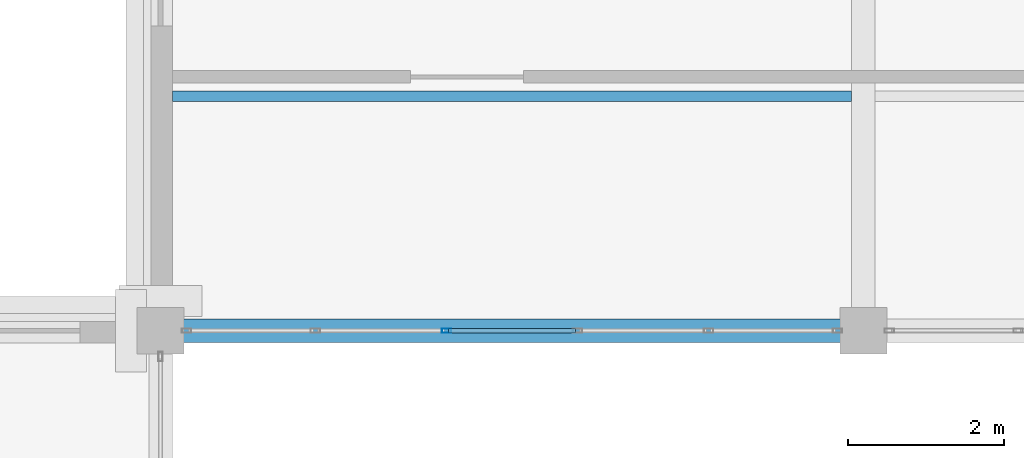
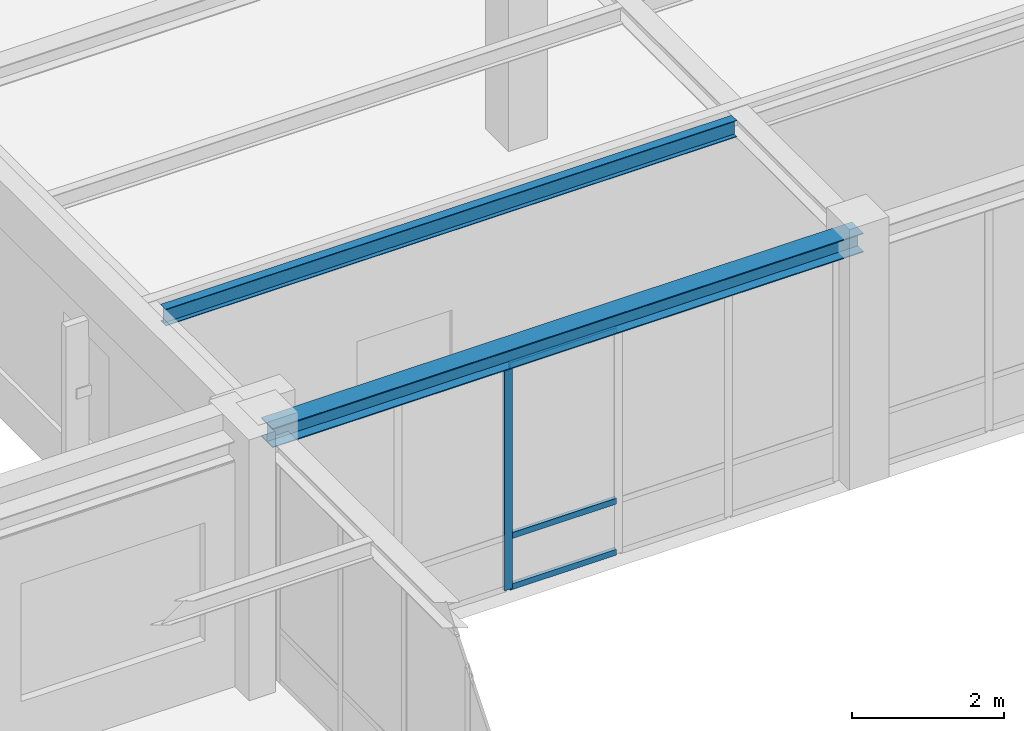
# One storey, part 90 of 130: 4 members, 2 beams, 1 element without a shape of its own.
"""IFC4 building model written with IfcOpenShell, lengths in metres."""

import ifcopenshell
import ifcopenshell.guid

model = None  # the IFC model being written
_history = None  # IfcOwnerHistory: only IFC2X3 demands one
_inside = {}  # id of a spatial element -> (the spatial element, [elements in it])
_under = {}  # id of a project, library or spatial element -> (it, [spatial elements below it])
_declared = {}  # id of a project -> (the project, [libraries it declares])
_typed = {}  # id of a type object -> (the type object, [elements of that type])
_made_of = {}  # id of a material, layer set ... -> (it, [elements and type objects made of it])


def new_model(schema):
    """Start an empty IFC model of exactly this schema.

    Asked for "IFC4X3", IfcOpenShell would pick the latest addendum, in which some entities
    have other attributes; the version numbers below select the first issue.
    IFC2X3 requires an IfcOwnerHistory on every rooted entity: one is made here for all.
    """
    global model, _history
    if schema == "IFC4X3":
        model = ifcopenshell.file(schema_version=(4, 3, 0, 0))
    else:
        model = ifcopenshell.file(schema=schema)
    _inside.clear()
    _under.clear()
    _declared.clear()
    _typed.clear()
    _made_of.clear()
    _history = None
    if model.schema == "IFC2X3":
        org = make("IfcOrganization", Name="unknown")
        user = make(
            "IfcPersonAndOrganization",
            ThePerson=make("IfcPerson", FamilyName="unknown"),
            TheOrganization=org,
        )
        app = make(
            "IfcApplication",
            ApplicationDeveloper=org,
            Version="unknown",
            ApplicationFullName="unknown",
            ApplicationIdentifier="unknown",
        )
        _history = make(
            "IfcOwnerHistory",
            OwningUser=user,
            OwningApplication=app,
            ChangeAction="ADDED",
            CreationDate=0,
        )
    return model


def make(cls, **values):
    """One entity of the class cls with the attributes given. An attribute that is None is left unset."""
    return model.create_entity(
        cls, **{name: value for name, value in values.items() if value is not None}
    )


def rooted(cls, **values):
    """An entity with a GlobalId (a new one), such as an element, a storey or a relation."""
    return make(cls, GlobalId=ifcopenshell.guid.new(), OwnerHistory=_history, **values)


def si_unit(unit_type, name, prefix=None):
    """IfcSIUnit, for example si_unit("LENGTHUNIT", "METRE", prefix="MILLI")."""
    return make("IfcSIUnit", UnitType=unit_type, Prefix=prefix, Name=name)


def assignment(units):
    """IfcUnitAssignment: the units of a project."""
    return None if units is None else make("IfcUnitAssignment", Units=units)


def point(xyz):
    """IfcCartesianPoint."""
    return None if xyz is None else make("IfcCartesianPoint", Coordinates=xyz)


def direction(xyz):
    """IfcDirection."""
    return None if xyz is None else make("IfcDirection", DirectionRatios=xyz)


def frame(location, z_axis=None, x_axis=None):
    """IfcAxis2Placement3D, a coordinate frame: its origin and axes. An axis left out is left unset."""
    return make(
        "IfcAxis2Placement3D",
        Location=point(location),
        Axis=direction(z_axis),
        RefDirection=direction(x_axis),
    )


def frame_2d(location, x_axis=None):
    """IfcAxis2Placement2D, a coordinate frame in the plane: its origin and x axis."""
    return make(
        "IfcAxis2Placement2D", Location=point(location), RefDirection=direction(x_axis)
    )


def origin():
    """The frame at (0, 0, 0) with its axes left unset."""
    return frame((0.0, 0.0, 0.0))


def origin_2d():
    """The frame at (0, 0) in the plane with its x axis left unset."""
    return frame_2d((0.0, 0.0))


def place(relative_to, where):
    """IfcLocalPlacement: puts the frame where relative to a parent placement (None: the world)."""
    return make(
        "IfcLocalPlacement", PlacementRelTo=relative_to, RelativePlacement=where
    )


def context(
    kind, dimensions, precision=None, world=None, true_north=None, identifier=None
):
    """IfcGeometricRepresentationContext, for example the 3D "Model" context."""
    return make(
        "IfcGeometricRepresentationContext",
        ContextIdentifier=identifier,
        ContextType=kind,
        CoordinateSpaceDimension=dimensions,
        Precision=precision,
        WorldCoordinateSystem=world,
        TrueNorth=true_north,
    )


def subcontext(parent, identifier, kind, view, scale=None):
    """IfcGeometricRepresentationSubContext, for example "Body" below "Model"."""
    return make(
        "IfcGeometricRepresentationSubContext",
        ContextIdentifier=identifier,
        ContextType=kind,
        ParentContext=parent,
        TargetScale=scale,
        TargetView=view,
    )


def project(units=None, contexts=None):
    """IfcProject with its units and contexts."""
    return rooted(
        "IfcProject",
        Name="project",
        RepresentationContexts=contexts,
        UnitsInContext=assignment(units),
    )


def spatial(cls, under=None, at=None, **own):
    """A site, building, storey or space (cls), placed at a placement, below another one or the project."""
    s = rooted(cls, ObjectPlacement=at, **own)
    if under is not None:
        _under.setdefault(under.id(), (under, []))[1].append(s)
    return s


def profile(cls, at=None, kind="AREA", **sizes):
    """A parametric profile (cls). Its sizes go by their IFC names, for example OverallWidth=200.0."""
    return make(cls, ProfileType=kind, Position=at, **sizes)


def hollow_rectangle(**sizes):
    """IfcRectangleHollowProfileDef."""
    return profile("IfcRectangleHollowProfileDef", **sizes)


def i_section(**sizes):
    """IfcIShapeProfileDef."""
    return profile("IfcIShapeProfileDef", **sizes)


def extrude(swept, where, along, depth):
    """IfcExtrudedAreaSolid: the profile swept, set in the frame where, extruded along a direction by depth."""
    return make(
        "IfcExtrudedAreaSolid",
        SweptArea=swept,
        Position=where,
        ExtrudedDirection=direction(along),
        Depth=depth,
    )


def shape(context_of_items, identifier, shape_type, items):
    """IfcShapeRepresentation: the items that make up one representation, for example the "Body"."""
    return make(
        "IfcShapeRepresentation",
        ContextOfItems=context_of_items,
        RepresentationIdentifier=identifier,
        RepresentationType=shape_type,
        Items=items,
    )


def material(Name=None, Category=None):
    """IfcMaterial."""
    return make("IfcMaterial", Name=Name, Category=Category)


def material_profile(
    of_material, cross_section, Name=None, Category=None, Priority=None
):
    """IfcMaterialProfile: a cross section and its material."""
    return make(
        "IfcMaterialProfile",
        Name=Name,
        Material=of_material,
        Profile=cross_section,
        Priority=Priority,
        Category=Category,
    )


def profile_set(profiles, Name=None, composite=None):
    """IfcMaterialProfileSet."""
    return make(
        "IfcMaterialProfileSet",
        Name=Name,
        MaterialProfiles=profiles,
        CompositeProfile=composite,
    )


def made_of(thing, what):
    """Note that an element or type object is made of a material, layer set ...; save() writes the relation."""
    if what is not None:
        _made_of.setdefault(what.id(), (what, []))[1].append(thing)
    return thing


def type_object(cls, material=None, **own):
    """A type object (cls), such as IfcWallType, which elements share."""
    return made_of(rooted(cls, **own), material)


def element(
    cls,
    number,
    at=None,
    inside=None,
    cuts=None,
    type_object=None,
    material=None,
    context=None,
    identifier="Body",
    shape_type=None,
    held_by="IfcProductDefinitionShape",
    body=None,
    shapes=None,
    **own,
):
    """One element of the class cls, such as IfcWall. Its Tag is "e" and its number.

    at: its placement. inside: the storey or other place that contains it. cuts: it is an
    opening in that element (IfcRelVoidsElement). A single representation is given by context,
    identifier, shape_type and body (its items); several are given by shapes. held_by: the class
    of the entity that holds the representations. save() writes the other relations.
    """
    e = rooted(cls, Tag="e%d" % number, ObjectPlacement=at, **own)
    if body is not None:
        shapes = [shape(context, identifier, shape_type, body)]
    if shapes is not None:
        e.Representation = make(held_by, Representations=shapes)
    if inside is not None:
        _inside.setdefault(inside.id(), (inside, []))[1].append(e)
    if cuts is not None:
        rooted(
            "IfcRelVoidsElement", RelatingBuildingElement=cuts, RelatedOpeningElement=e
        )
    if type_object is not None:
        _typed.setdefault(type_object.id(), (type_object, []))[1].append(e)
    return made_of(e, material)


def aggregate(whole, parts):
    """IfcRelAggregates: a whole, such as a stair, and the parts it consists of."""
    return rooted("IfcRelAggregates", RelatingObject=whole, RelatedObjects=parts)


def save(model, path):
    """Write the relations noted so far, then the file.

    IfcRelAggregates (storeys below a building ...), IfcRelContainedInSpatialStructure (elements
    in a storey), IfcRelDefinesByType, IfcRelAssociatesMaterial and IfcRelDeclares: one each for
    every whole, place, type object, material and project.
    """
    for whole, parts in _under.values():
        aggregate(whole, parts)
    for where, things in _inside.values():
        rooted(
            "IfcRelContainedInSpatialStructure",
            RelatedElements=things,
            RelatingStructure=where,
        )
    for kind, things in _typed.values():
        rooted("IfcRelDefinesByType", RelatedObjects=things, RelatingType=kind)
    for what, things in _made_of.values():
        rooted("IfcRelAssociatesMaterial", RelatedObjects=things, RelatingMaterial=what)
    for by, libraries in _declared.values():
        rooted("IfcRelDeclares", RelatingContext=by, RelatedDefinitions=libraries)
    model.write(path)


model = new_model("IFC4")

# Units and contexts
model_context = context("Model", 3, precision=1e-05, world=origin(), true_north=direction((0.0, 1.0)))
body_context = subcontext(model_context, "Body", "Model", "MODEL_VIEW")
ifc_project = project(units=[si_unit("LENGTHUNIT", "METRE"), si_unit("AREAUNIT", "SQUARE_METRE"), si_unit("VOLUMEUNIT", "CUBIC_METRE"), si_unit("PLANEANGLEUNIT", "RADIAN"), si_unit("MASSUNIT", "GRAM", prefix="KILO")], contexts=[model_context])

# Site, building, storey
site_placement = place(None, origin())
site = spatial("IfcSite", under=ifc_project, at=site_placement, CompositionType="ELEMENT")
building_placement = place(site_placement, origin())
building = spatial("IfcBuilding", under=site, at=building_placement, Name="Lykobir Media Centre", CompositionType="ELEMENT")
storey_placement = place(building_placement, frame((0.0, 0.0, 19.199951171875)))
storey = spatial("IfcBuildingStorey", under=building, at=storey_placement, Name="L04", CompositionType="ELEMENT", Elevation=19.199951171875)

# Curtain wall, members
ifc_material_1 = material(Name="Anodized Aluminium AW-6060", Category="aluminium")
curtain_wall_type = type_object("IfcCurtainWallType", Name="CW-COURT-B", PredefinedType="NOTDEFINED", material=ifc_material_1)
curtain_wall_placement = place(storey_placement, origin())
curtain_wall = element("IfcCurtainWall", 1, at=curtain_wall_placement, inside=storey, type_object=curtain_wall_type, Name="Curtain wall CW2-L04-0178", PredefinedType="NOTDEFINED")
ifc_material_profile_1 = material_profile(ifc_material_1, hollow_rectangle(XDim=0.054931640625, YDim=0.1201171875, WallThickness=0.003173828125, at=origin_2d()), Name="ALU MULLION 55x120")
ifc_profile_set_1 = profile_set([ifc_material_profile_1], Name="Anodized Aluminium AW-6060")
member_type_1 = type_object("IfcMemberType", Name="CWM-120", PredefinedType="MULLION", material=ifc_profile_set_1)
member_1_placement = place(storey_placement, frame((102.660888671875, 72.0, 0.0), z_axis=(0.0, 0.0, 1.0), x_axis=(0.0, -1.0, 0.0)))
member_1 = element("IfcMember", 2, at=member_1_placement, type_object=member_type_1, Name="CW2-L04-0178 mullion 4", PredefinedType="MULLION", context=body_context, shape_type="SweptSolid", body=[
    extrude(hollow_rectangle(XDim=0.054931640625, YDim=0.1201171875, WallThickness=0.003173828125, at=origin_2d()), origin(), (0.0, 0.0, 1.0), 3.625),
])
ifc_material_profile_2 = material_profile(ifc_material_1, hollow_rectangle(XDim=0.054931640625, YDim=0.094970703125, WallThickness=0.0029296875, at=origin_2d()), Name="ALU TRANSOM 55x95")
ifc_profile_set_2 = profile_set([ifc_material_profile_2], Name="Anodized Aluminium AW-6060")
member_type_2 = type_object("IfcMemberType", Name="CWT-095", PredefinedType="USERDEFINED", material=ifc_profile_set_2)
member_2_placement = place(storey_placement, frame((104.3115234375, 72.0, 0.027587890625), z_axis=(-1.0, 0.0, 0.0), x_axis=(0.0, -1.0, 0.0)))
member_2 = element("IfcMember", 3, at=member_2_placement, type_object=member_type_2, Name="CW2-L04-0178 transom 3.1", ObjectType="TRANSOM", PredefinedType="USERDEFINED", context=body_context, shape_type="SweptSolid", body=[
    extrude(hollow_rectangle(XDim=0.054931640625, YDim=0.094970703125, WallThickness=0.0029296875, at=origin_2d()), origin(), (0.0, 0.0, 1.0), 1.623046875),
])
member_3_placement = place(storey_placement, frame((104.3115234375, 72.0, 0.85009765625), z_axis=(-1.0, 0.0, 0.0), x_axis=(0.0, -1.0, 0.0)))
member_3 = element("IfcMember", 4, at=member_3_placement, type_object=member_type_2, Name="CW2-L04-0178 transom 3.2", ObjectType="TRANSOM", PredefinedType="USERDEFINED", context=body_context, shape_type="SweptSolid", body=[
    extrude(hollow_rectangle(XDim=0.054931640625, YDim=0.094970703125, WallThickness=0.0029296875, at=origin_2d()), origin(), (0.0, 0.0, 1.0), 1.623046875),
])
member_4_placement = place(storey_placement, frame((104.3115234375, 72.0, 3.59765625), z_axis=(-1.0, 0.0, 0.0), x_axis=(0.0, -1.0, 0.0)))
member_4 = element("IfcMember", 5, at=member_4_placement, type_object=member_type_2, Name="CW2-L04-0178 transom 3.3", ObjectType="TRANSOM", PredefinedType="USERDEFINED", context=body_context, shape_type="SweptSolid", body=[
    extrude(hollow_rectangle(XDim=0.054931640625, YDim=0.094970703125, WallThickness=0.0029296875, at=origin_2d()), origin(), (0.0, 0.0, 1.0), 1.623046875),
])
aggregate(curtain_wall, [member_1, member_2, member_3, member_4])

# Beams
ifc_material_2 = material(Name="Steel S355", Category="steel")
ifc_material_profile_3 = material_profile(ifc_material_2, i_section(OverallWidth=0.135009765625, OverallDepth=0.27001953125, WebThickness=0.006591796875, FlangeThickness=0.01025390625, at=origin_2d()), Name="IPE 270")
ifc_profile_set_3 = profile_set([ifc_material_profile_3], Name="Steel S355")
beam_type_1 = type_object("IfcBeamType", Name="JS-IPE270", PredefinedType="JOIST", material=ifc_profile_set_3)
beam_1_placement = place(storey_placement, frame((99.14990234375, 75.0, 3.81494140625), z_axis=(1.0, 0.0, 0.0), x_axis=(0.0, 1.0, 0.0)))
element("IfcBeam", 6, at=beam_1_placement, inside=storey, type_object=beam_type_1, Name="Beam BM-L04-0992-0750-1078-0750-2302", PredefinedType="JOIST", context=body_context, shape_type="SweptSolid", body=[
    extrude(i_section(OverallWidth=0.135009765625, OverallDepth=0.27001953125, WebThickness=0.006591796875, FlangeThickness=0.01025390625, at=origin_2d()), origin(), (0.0, 0.0, 1.0), 8.7001953125),
])
ifc_material_profile_4 = material_profile(ifc_material_2, i_section(OverallWidth=0.300048828125, OverallDepth=0.31005859375, WebThickness=0.009033203125, FlangeThickness=0.015380859375, at=origin_2d()), Name="HEA 320")
ifc_profile_set_4 = profile_set([ifc_material_profile_4], Name="Steel S355")
beam_type_2 = type_object("IfcBeamType", Name="SP-HEA320", PredefinedType="SPANDREL", material=ifc_profile_set_4)
beam_2_placement = place(storey_placement, frame((99.0, 72.0, 3.795166015625), z_axis=(1.0, 0.0, 0.0), x_axis=(0.0, 1.0, 0.0)))
element("IfcBeam", 7, at=beam_2_placement, inside=storey, type_object=beam_type_2, Name="Beam BM-L04-0990-0720-1080-0720-2300", PredefinedType="SPANDREL", context=body_context, shape_type="SweptSolid", body=[
    extrude(i_section(OverallWidth=0.300048828125, OverallDepth=0.31005859375, WebThickness=0.009033203125, FlangeThickness=0.015380859375, at=origin_2d()), origin(), (0.0, 0.0, 1.0), 9.0),
])

save(model, "model.ifc")
